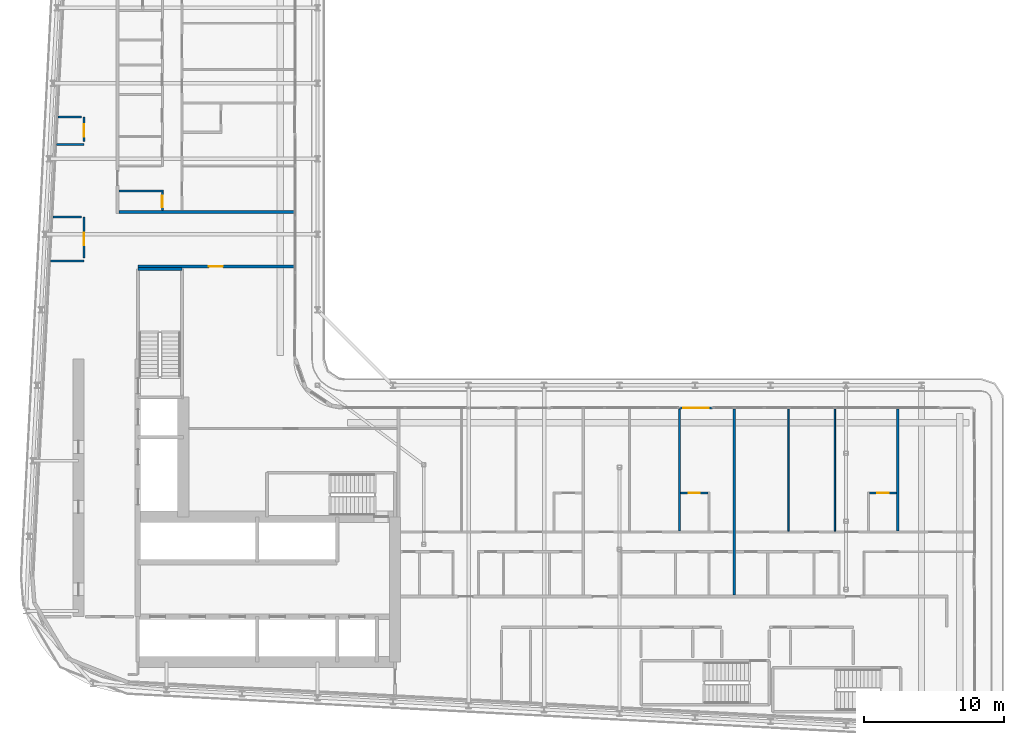
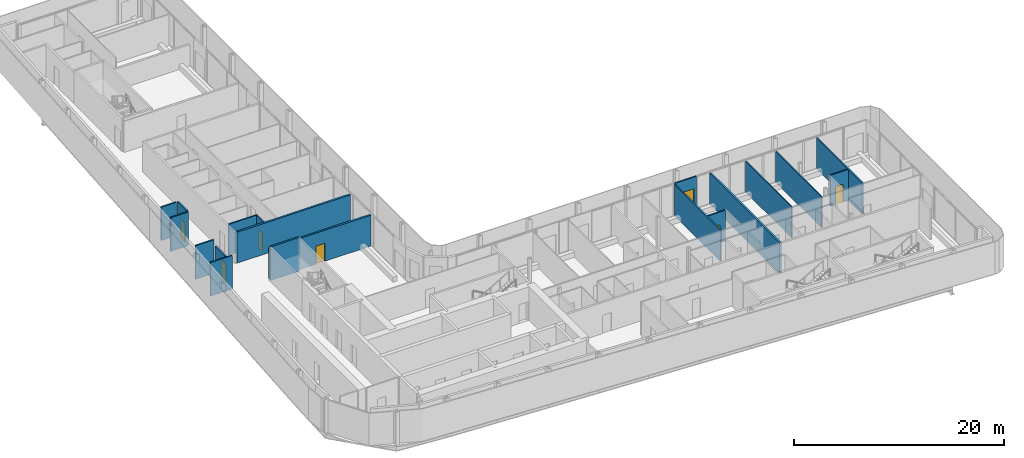
# One storey, part 19 of 30: 19 walls, 7 doors, 7 openings.
"""IFC4 building model written with IfcOpenShell, lengths in metres."""

from ifc_helpers import new_model, si_unit, direction, frame, frame_2d, origin, place, context, subcontext, project, spatial, rectangle, extrude, source, transform, mapped, material, layer, layer_set, type_object, element, fill, save


model = new_model("IFC4")

# Units and contexts
model_context = context("Model", 3, precision=1e-05, world=origin(), true_north=direction((0.0, 1.0)))
body_context = subcontext(model_context, "Body", "Model", "MODEL_VIEW")
ifc_project = project(units=[si_unit("LENGTHUNIT", "METRE"), si_unit("AREAUNIT", "SQUARE_METRE"), si_unit("VOLUMEUNIT", "CUBIC_METRE"), si_unit("PLANEANGLEUNIT", "RADIAN"), si_unit("MASSUNIT", "GRAM", prefix="KILO")], contexts=[model_context])

# Site, building, storey
site_placement = place(None, origin())
site = spatial("IfcSite", under=ifc_project, at=site_placement, CompositionType="ELEMENT")
building_placement = place(site_placement, origin())
building = spatial("IfcBuilding", under=site, at=building_placement, Name="Kheshtan School and Residences Tower", CompositionType="ELEMENT")
storey_placement = place(building_placement, frame((0.0, 0.0, 164.300048828125)))
storey = spatial("IfcBuildingStorey", under=building, at=storey_placement, Name="L38", CompositionType="ELEMENT", Elevation=164.300048828125)

# Wall
ifc_material_1 = material(Name="Gypsum board on steel studs with fire boards", Category="steel")
ifc_layer_1 = layer(ifc_material_1, 0.199951171875)
ifc_layer_set_1 = layer_set([ifc_layer_1], Name="Corridor wall 200")
wall_type_1 = type_object("IfcWallType", Name="Corridor wall 200", PredefinedType="PARTITIONING", material=ifc_layer_set_1)
wall_1_placement = place(storey_placement, frame((33.39990234375, 58.0, 0.0), z_axis=(0.0, 0.0, 1.0), x_axis=(1.0, 0.0, 0.0)))
element("IfcWall", 1, at=wall_1_placement, inside=storey, type_object=wall_type_1, Name="Partition L38-006", PredefinedType="PARTITIONING", context=body_context, shape_type="SweptSolid", body=[
    extrude(rectangle(XDim=12.5, YDim=0.199951171875, at=frame_2d((6.25, 0.0))), origin(), (0.0, 0.0, 1.0), 3.599853515625),
])

# Wall, opening, door
wall_2_placement = place(storey_placement, frame((34.75, 54.10009765625, 0.0), z_axis=(0.0, 0.0, 1.0), x_axis=(1.0, 0.0, 0.0)))
wall_2 = element("IfcWall", 2, at=wall_2_placement, inside=storey, type_object=wall_type_1, Name="Partition L38-020", PredefinedType="PARTITIONING", context=body_context, shape_type="SweptSolid", body=[
    extrude(rectangle(XDim=11.14990234375, YDim=0.199951171875, at=frame_2d((5.574951171875, 0.0))), origin(), (0.0, 0.0, 1.0), 3.599853515625),
])
opening_1_placement = place(wall_2_placement, frame((5.074951171875, 0.0, 0.0)))
opening_1 = element("IfcOpeningElement", 3, at=opening_1_placement, cuts=wall_2, Name="Opening D37-052", PredefinedType="OPENING", context=body_context, shape_type="SweptSolid", body=[
    extrude(rectangle(XDim=1.0, YDim=2.10009765625, at=frame_2d((0.5, 1.050048828125))), frame((0.0, 0.10986328125, 0.0), z_axis=(0.0, -1.0, 0.0), x_axis=(1.0, 0.0, 0.0)), (0.0, 0.0, 1.0), 0.219970703125),
])
ifc_material_2 = material(Name="Steel-framed fire-resisting door leaf", Category="steel")
door_type_1 = type_object("IfcDoorType", Name="Fire door FD60 1000 x 2100", OperationType="SINGLE_SWING_LEFT", PredefinedType="DOOR", material=ifc_material_2)
shared_shape_1 = source(origin(), body_context, "Body", "SweptSolid", [
    extrude(rectangle(XDim=1.0, YDim=2.10009765625, at=frame_2d((0.5, 1.050048828125))), frame((0.0, 0.02490234375, 0.0), z_axis=(0.0, -1.0, 0.0), x_axis=(1.0, 0.0, 0.0)), (0.0, 0.0, 1.0), 0.050048828125),
])
door_1_placement = place(opening_1_placement, origin())
door_1 = element("IfcDoor", 4, at=door_1_placement, inside=storey, type_object=door_type_1, Name="Door D37-052", OperationType="SINGLE_SWING_RIGHT", OverallHeight=2.10009765625, OverallWidth=1.0, PredefinedType="DOOR", context=body_context, shape_type="MappedRepresentation", body=[
    mapped(shared_shape_1, transform((0.0, 0.0, 0.0), x_axis=(1.0, 0.0, 0.0), y_axis=(0.0, 1.0, 0.0), z_axis=(0.0, 0.0, 1.0), scale=1.0)),
])
fill(opening_1, door_1)

ifc_material_3 = material(Name="Aluminium frame wall with insulated infill", Category="aluminium")
ifc_layer_2 = layer(ifc_material_3, 0.14990234375)
ifc_layer_set_2 = layer_set([ifc_layer_2], Name="Glazing frame wall 150")
wall_type_2 = type_object("IfcWallType", Name="Glazing frame wall 150", PredefinedType="SOLIDWALL", material=ifc_layer_set_2)
wall_3_placement = place(storey_placement, frame((73.465087890625, 43.97509765625, 0.0), z_axis=(0.0, 0.0, 1.0), x_axis=(1.0, 0.0, 0.0)))
wall_3 = element("IfcWall", 5, at=wall_3_placement, inside=storey, type_object=wall_type_2, Name="Balcony door wall L38 12.3", PredefinedType="SOLIDWALL", context=body_context, shape_type="SweptSolid", body=[
    extrude(rectangle(XDim=2.39990234375, YDim=0.14990234375, at=frame_2d((1.199951171875, 0.0))), origin(), (0.0, 0.0, 1.0), 3.75),
])
opening_2_placement = place(wall_3_placement, frame((0.300048828125, 0.0, 0.0)))
opening_2 = element("IfcOpeningElement", 6, at=opening_2_placement, cuts=wall_3, Name="Opening BD", PredefinedType="OPENING", context=body_context, shape_type="SweptSolid", body=[
    extrude(rectangle(XDim=1.800048828125, YDim=2.39990234375, at=frame_2d((0.89990234375, 1.199951171875))), frame((0.0, 0.0849609375, 0.0), z_axis=(0.0, -1.0, 0.0), x_axis=(1.0, 0.0, 0.0)), (0.0, 0.0, 1.0), 0.169921875),
])
ifc_material_4 = material(Name="Clear low-e glass in thermally broken aluminium frame", Category="aluminium")
door_type_2 = type_object("IfcDoorType", Name="Balcony sliding door", OperationType="SLIDING_TO_LEFT", PredefinedType="DOOR", material=ifc_material_4)
shared_shape_2 = source(origin(), body_context, "Body", "SweptSolid", [
    extrude(rectangle(XDim=1.800048828125, YDim=2.39990234375, at=frame_2d((0.89990234375, 1.199951171875))), frame((0.0, 0.02490234375, 0.0), z_axis=(0.0, -1.0, 0.0), x_axis=(1.0, 0.0, 0.0)), (0.0, 0.0, 1.0), 0.050048828125),
])
door_2_placement = place(opening_2_placement, origin())
door_2 = element("IfcDoor", 7, at=door_2_placement, inside=storey, type_object=door_type_2, Name="Balcony door L38 12.3", OperationType="SLIDING_TO_LEFT", OverallHeight=2.39990234375, OverallWidth=1.800048828125, PredefinedType="DOOR", context=body_context, shape_type="MappedRepresentation", body=[
    mapped(shared_shape_2, transform((0.0, 0.0, 0.0), x_axis=(1.0, 0.0, 0.0), y_axis=(0.0, 1.0, 0.0), z_axis=(0.0, 0.0, 1.0), scale=1.0)),
])
fill(opening_2, door_2)

# Walls
ifc_material_5 = material(Name="Gypsum board on steel studs", Category="steel")
ifc_layer_3 = layer(ifc_material_5, 0.10009765625)
ifc_layer_set_3 = layer_set([ifc_layer_3], Name="Gypsum partition 100")
wall_type_3 = type_object("IfcWallType", Name="Gypsum partition 100", PredefinedType="PARTITIONING", material=ifc_layer_set_3)
for number, where, z_axis, x_axis, name in (
    (8, (81.300048828125, 35.175048828125, 0.0), (0.0, 0.0, 1.0), (0.0, 1.0, 0.0), "Partition L38-066"),
    (9, (84.60009765625, 35.175048828125, 0.0), (0.0, 0.0, 1.0), (0.0, 1.0, 0.0), "Partition L38-068"),
):
    element("IfcWall", number, at=place(storey_placement, frame(where, z_axis=z_axis, x_axis=x_axis)), inside=storey, type_object=wall_type_3, Name=name, PredefinedType="PARTITIONING", context=body_context, shape_type="SweptSolid", body=[
        extrude(rectangle(XDim=8.724853515625, YDim=0.10009765625, at=frame_2d((4.3623046875, 0.0))), origin(), (0.0, 0.0, 1.0), 3.599853515625),
    ])
ifc_material_6 = material(Name="Fire-board shaft wall system")
ifc_layer_4 = layer(ifc_material_6, 0.14990234375)
ifc_layer_set_4 = layer_set([ifc_layer_4], Name="Service room wall 150")
wall_type_4 = type_object("IfcWallType", Name="Service room wall 150", PredefinedType="PARTITIONING", material=ifc_layer_set_4)
wall_4_placement = place(storey_placement, frame((28.508056640625, 54.5, 0.0), z_axis=(0.0, 0.0, 1.0), x_axis=(1.0, 0.0, 0.0)))
element("IfcWall", 10, at=wall_4_placement, inside=storey, type_object=wall_type_4, Name="Service room wall", PredefinedType="PARTITIONING", context=body_context, shape_type="SweptSolid", body=[
    extrude(rectangle(XDim=2.391845703125, YDim=0.14990234375, at=frame_2d((1.19580078125, 0.0))), origin(), (0.0, 0.0, 1.0), 3.89990234375),
])

# Wall, opening, door
wall_5_placement = place(storey_placement, frame((30.89990234375, 54.695068359375, 0.0), z_axis=(0.0, 0.0, 1.0), x_axis=(0.0, 1.0, 0.0)))
wall_5 = element("IfcWall", 11, at=wall_5_placement, inside=storey, type_object=wall_type_4, Name="Service room wall", PredefinedType="PARTITIONING", context=body_context, shape_type="SweptSolid", body=[
    extrude(rectangle(XDim=2.930908203125, YDim=0.14990234375, at=frame_2d((1.46533203125, 0.0))), origin(), (0.0, 0.0, 1.0), 3.072021484375),
])
opening_3_placement = place(wall_5_placement, frame((0.91796875, 0.0, 0.0)))
opening_3 = element("IfcOpeningElement", 12, at=opening_3_placement, cuts=wall_5, Name="Opening SR90", PredefinedType="OPENING", context=body_context, shape_type="SweptSolid", body=[
    extrude(rectangle(XDim=0.89990234375, YDim=2.199951171875, at=frame_2d((0.449951171875, 1.10009765625))), frame((0.0, 0.0849609375, 0.0), z_axis=(0.0, -1.0, 0.0), x_axis=(1.0, 0.0, 0.0)), (0.0, 0.0, 1.0), 0.169921875),
])
ifc_material_7 = material(Name="Steel door leaf, galvanised", Category="steel")
door_type_3 = type_object("IfcDoorType", Name="Service room door 900 steel 90 min", OperationType="SINGLE_SWING_LEFT", PredefinedType="DOOR", material=ifc_material_7)
shared_shape_3 = source(origin(), body_context, "Body", "SweptSolid", [
    extrude(rectangle(XDim=0.89990234375, YDim=2.199951171875, at=frame_2d((0.449951171875, 1.10009765625))), frame((0.0, 0.02490234375, 0.0), z_axis=(0.0, -1.0, 0.0), x_axis=(1.0, 0.0, 0.0)), (0.0, 0.0, 1.0), 0.050048828125),
])
door_3_placement = place(opening_3_placement, origin())
door_3 = element("IfcDoor", 13, at=door_3_placement, inside=storey, type_object=door_type_3, Name="Service room door", OperationType="SINGLE_SWING_LEFT", OverallHeight=2.199951171875, OverallWidth=0.89990234375, PredefinedType="DOOR", context=body_context, shape_type="MappedRepresentation", body=[
    mapped(shared_shape_3, transform((0.0, 0.0, 0.0), x_axis=(1.0, 0.0, 0.0), y_axis=(0.0, 1.0, 0.0), z_axis=(0.0, 0.0, 1.0), scale=1.0)),
])
fill(opening_3, door_3)

# Walls
wall_6_placement = place(storey_placement, frame((28.673095703125, 57.6259765625, 0.0), z_axis=(0.0, 0.0, 1.0), x_axis=(1.0, 0.0, 0.0)))
element("IfcWall", 14, at=wall_6_placement, inside=storey, type_object=wall_type_4, Name="Service room wall", PredefinedType="PARTITIONING", context=body_context, shape_type="SweptSolid", body=[
    extrude(rectangle(XDim=2.031982421875, YDim=0.14990234375, at=frame_2d((1.01611328125, 0.0))), origin(), (0.0, 0.0, 1.0), 3.89990234375),
])
wall_7_placement = place(storey_placement, frame((28.947021484375, 62.8330078125, 0.0), z_axis=(0.0, 0.0, 1.0), x_axis=(1.0, 0.0, 0.0)))
element("IfcWall", 15, at=wall_7_placement, inside=storey, type_object=wall_type_4, Name="Service room wall", PredefinedType="PARTITIONING", context=body_context, shape_type="SweptSolid", body=[
    extrude(rectangle(XDim=1.952880859375, YDim=0.14990234375, at=frame_2d((0.9765625, 0.0))), origin(), (0.0, 0.0, 1.0), 3.89990234375),
])

# Wall, opening, door
wall_8_placement = place(storey_placement, frame((30.89990234375, 63.028076171875, 0.0), z_axis=(0.0, 0.0, 1.0), x_axis=(0.0, 1.0, 0.0)))
wall_8 = element("IfcWall", 16, at=wall_8_placement, inside=storey, type_object=wall_type_4, Name="Service room wall", PredefinedType="PARTITIONING", context=body_context, shape_type="SweptSolid", body=[
    extrude(rectangle(XDim=1.77197265625, YDim=0.14990234375, at=frame_2d((0.885986328125, 0.0))), origin(), (0.0, 0.0, 1.0), 3.89990234375),
])
opening_4_placement = place(wall_8_placement, frame((0.337890625, 0.0, 0.0)))
opening_4 = element("IfcOpeningElement", 17, at=opening_4_placement, cuts=wall_8, Name="Opening SR90", PredefinedType="OPENING", context=body_context, shape_type="SweptSolid", body=[
    extrude(rectangle(XDim=0.89990234375, YDim=2.199951171875, at=frame_2d((0.449951171875, 1.10009765625))), frame((0.0, 0.0849609375, 0.0), z_axis=(0.0, -1.0, 0.0), x_axis=(1.0, 0.0, 0.0)), (0.0, 0.0, 1.0), 0.169921875),
])
door_4_placement = place(opening_4_placement, origin())
door_4 = element("IfcDoor", 18, at=door_4_placement, inside=storey, type_object=door_type_3, Name="Service room door", OperationType="SINGLE_SWING_LEFT", OverallHeight=2.199951171875, OverallWidth=0.89990234375, PredefinedType="DOOR", context=body_context, shape_type="MappedRepresentation", body=[
    mapped(shared_shape_3, transform((0.0, 0.0, 0.0), x_axis=(1.0, 0.0, 0.0), y_axis=(0.0, 1.0, 0.0), z_axis=(0.0, 0.0, 1.0), scale=1.0)),
])
fill(opening_4, door_4)

# Walls
wall_9_placement = place(storey_placement, frame((29.050048828125, 64.800048828125, 0.0), z_axis=(0.0, 0.0, 1.0), x_axis=(1.0, 0.0, 0.0)))
element("IfcWall", 19, at=wall_9_placement, inside=storey, type_object=wall_type_4, Name="Service room wall", PredefinedType="PARTITIONING", context=body_context, shape_type="SweptSolid", body=[
    extrude(rectangle(XDim=1.655029296875, YDim=0.14990234375, at=frame_2d((0.82763671875, 0.0))), origin(), (0.0, 0.0, 1.0), 3.89990234375),
])
ifc_material_8 = material(Name="Concrete C40/50", Category="concrete")
ifc_layer_5 = layer(ifc_material_8, 0.199951171875)
ifc_layer_set_5 = layer_set([ifc_layer_5], Name="Stair enclosure wall 200 Concrete C40/50")
wall_type_5 = type_object("IfcWallType", Name="Stair enclosure wall 200 Concrete C40/50", PredefinedType="SHEAR", material=ifc_layer_set_5)
wall_10_placement = place(storey_placement, frame((34.75, 53.909912109375, 0.0), z_axis=(0.0, 0.0, 1.0), x_axis=(1.0, 0.0, 0.0)))
element("IfcWall", 20, at=wall_10_placement, inside=storey, type_object=wall_type_5, Name="Stair enclosure wall ST2", PredefinedType="SHEAR", context=body_context, shape_type="SweptSolid", body=[
    extrude(rectangle(XDim=3.14990234375, YDim=0.199951171875, at=frame_2d((1.574951171875, 0.0))), origin(), (0.0, 0.0, 1.0), 3.89990234375),
])
ifc_material_9 = material(Name="Twin gypsum board on steel studs with mineral wool", Category="steel")
ifc_layer_6 = layer(ifc_material_9, 0.199951171875)
ifc_layer_set_6 = layer_set([ifc_layer_6], Name="Unit demising wall 200")
wall_type_6 = type_object("IfcWallType", Name="Unit demising wall 200", PredefinedType="PARTITIONING", material=ifc_layer_set_6)
wall_11_placement = place(storey_placement, frame((77.39990234375, 30.60009765625, 0.0), z_axis=(0.0, 0.0, 1.0), x_axis=(0.0, 1.0, 0.0)))
element("IfcWall", 21, at=wall_11_placement, inside=storey, type_object=wall_type_6, Name="Partition L38-062", PredefinedType="PARTITIONING", context=body_context, shape_type="SweptSolid", body=[
    extrude(rectangle(XDim=13.2998046875, YDim=0.199951171875, at=frame_2d((6.64990234375, 0.0))), origin(), (0.0, 0.0, 1.0), 3.599853515625),
])
ifc_material_10 = material(Name="Moisture-resistant gypsum board on steel studs", Category="steel")
ifc_layer_7 = layer(ifc_material_10, 0.14990234375)
ifc_layer_set_7 = layer_set([ifc_layer_7], Name="Wet-room partition 150")
wall_type_7 = type_object("IfcWallType", Name="Wet-room partition 150", PredefinedType="PARTITIONING", material=ifc_layer_set_7)
wall_12_placement = place(storey_placement, frame((33.39990234375, 59.5, 0.0), z_axis=(0.0, 0.0, 1.0), x_axis=(1.0, 0.0, 0.0)))
element("IfcWall", 22, at=wall_12_placement, inside=storey, type_object=wall_type_7, Name="Partition L38-007", PredefinedType="PARTITIONING", context=body_context, shape_type="SweptSolid", body=[
    extrude(rectangle(XDim=3.175048828125, YDim=0.14990234375, at=frame_2d((1.58740234375, 0.0))), origin(), (0.0, 0.0, 1.0), 3.599853515625),
])

# Wall, opening, door
wall_13_placement = place(storey_placement, frame((36.5, 58.10009765625, 0.0), z_axis=(0.0, 0.0, 1.0), x_axis=(0.0, 1.0, 0.0)))
wall_13 = element("IfcWall", 23, at=wall_13_placement, inside=storey, type_object=wall_type_7, Name="Partition L38-023", PredefinedType="PARTITIONING", context=body_context, shape_type="SweptSolid", body=[
    extrude(rectangle(XDim=1.324951171875, YDim=0.14990234375, at=frame_2d((0.66259765625, 0.0))), origin(), (0.0, 0.0, 1.0), 3.599853515625),
])
opening_5_placement = place(wall_13_placement, frame((0.25, 0.0, 0.0)))
opening_5 = element("IfcOpeningElement", 24, at=opening_5_placement, cuts=wall_13, Name="Opening D37-043", PredefinedType="OPENING", context=body_context, shape_type="SweptSolid", body=[
    extrude(rectangle(XDim=0.800048828125, YDim=2.10009765625, at=frame_2d((0.39990234375, 1.050048828125))), frame((0.0, 0.0849609375, 0.0), z_axis=(0.0, -1.0, 0.0), x_axis=(1.0, 0.0, 0.0)), (0.0, 0.0, 1.0), 0.169921875),
])
ifc_material_11 = material(Name="Veneered timber door leaf", Category="wood")
door_type_4 = type_object("IfcDoorType", Name="Door 800 x 2100", OperationType="SINGLE_SWING_LEFT", PredefinedType="DOOR", material=ifc_material_11)
shared_shape_4 = source(origin(), body_context, "Body", "SweptSolid", [
    extrude(rectangle(XDim=0.800048828125, YDim=2.10009765625, at=frame_2d((0.39990234375, 1.050048828125))), frame((0.0, 0.02490234375, 0.0), z_axis=(0.0, -1.0, 0.0), x_axis=(1.0, 0.0, 0.0)), (0.0, 0.0, 1.0), 0.050048828125),
])
door_5_placement = place(opening_5_placement, origin())
door_5 = element("IfcDoor", 25, at=door_5_placement, inside=storey, type_object=door_type_4, Name="Door D37-043", OperationType="SINGLE_SWING_RIGHT", OverallHeight=2.10009765625, OverallWidth=0.800048828125, PredefinedType="DOOR", context=body_context, shape_type="MappedRepresentation", body=[
    mapped(shared_shape_4, transform((0.0, 0.0, 0.0), x_axis=(1.0, 0.0, 0.0), y_axis=(0.0, 1.0, 0.0), z_axis=(0.0, 0.0, 1.0), scale=1.0)),
])
fill(opening_5, door_5)

# Wall
wall_14_placement = place(storey_placement, frame((73.5, 35.175048828125, 0.0), z_axis=(0.0, 0.0, 1.0), x_axis=(0.0, 1.0, 0.0)))
element("IfcWall", 26, at=wall_14_placement, inside=storey, type_object=wall_type_7, Name="Partition L38-058", PredefinedType="PARTITIONING", context=body_context, shape_type="SweptSolid", body=[
    extrude(rectangle(XDim=8.724853515625, YDim=0.14990234375, at=frame_2d((4.3623046875, 0.0))), origin(), (0.0, 0.0, 1.0), 3.599853515625),
])

# Wall, opening, door
wall_15_placement = place(storey_placement, frame((73.574951171875, 37.89990234375, 0.0), z_axis=(0.0, 0.0, 1.0), x_axis=(1.0, 0.0, 0.0)))
wall_15 = element("IfcWall", 27, at=wall_15_placement, inside=storey, type_object=wall_type_7, Name="Partition L38-059", PredefinedType="PARTITIONING", context=body_context, shape_type="SweptSolid", body=[
    extrude(rectangle(XDim=1.949951171875, YDim=0.14990234375, at=frame_2d((0.97509765625, 0.0))), origin(), (0.0, 0.0, 1.0), 3.599853515625),
])
opening_6_placement = place(wall_15_placement, frame((0.574951171875, 0.0, 0.0)))
opening_6 = element("IfcOpeningElement", 28, at=opening_6_placement, cuts=wall_15, Name="Opening D37-013", PredefinedType="OPENING", context=body_context, shape_type="SweptSolid", body=[
    extrude(rectangle(XDim=0.800048828125, YDim=2.10009765625, at=frame_2d((0.39990234375, 1.050048828125))), frame((0.0, 0.0849609375, 0.0), z_axis=(0.0, -1.0, 0.0), x_axis=(1.0, 0.0, 0.0)), (0.0, 0.0, 1.0), 0.169921875),
])
door_6_placement = place(opening_6_placement, origin())
door_6 = element("IfcDoor", 29, at=door_6_placement, inside=storey, type_object=door_type_4, Name="Door D37-013", OperationType="SINGLE_SWING_LEFT", OverallHeight=2.10009765625, OverallWidth=0.800048828125, PredefinedType="DOOR", context=body_context, shape_type="MappedRepresentation", body=[
    mapped(shared_shape_4, transform((0.0, 0.0, 0.0), x_axis=(1.0, 0.0, 0.0), y_axis=(0.0, 1.0, 0.0), z_axis=(0.0, 0.0, 1.0), scale=1.0)),
])
fill(opening_6, door_6)

wall_16_placement = place(storey_placement, frame((87.074951171875, 37.89990234375, 0.0), z_axis=(0.0, 0.0, 1.0), x_axis=(1.0, 0.0, 0.0)))
wall_16 = element("IfcWall", 30, at=wall_16_placement, inside=storey, type_object=wall_type_7, Name="Partition L38-073", PredefinedType="PARTITIONING", context=body_context, shape_type="SweptSolid", body=[
    extrude(rectangle(XDim=1.949951171875, YDim=0.14990234375, at=frame_2d((0.97509765625, 0.0))), origin(), (0.0, 0.0, 1.0), 3.599853515625),
])
opening_7_placement = place(wall_16_placement, frame((0.574951171875, 0.0, 0.0)))
opening_7 = element("IfcOpeningElement", 31, at=opening_7_placement, cuts=wall_16, Name="Opening D37-022", PredefinedType="OPENING", context=body_context, shape_type="SweptSolid", body=[
    extrude(rectangle(XDim=0.800048828125, YDim=2.10009765625, at=frame_2d((0.39990234375, 1.050048828125))), frame((0.0, 0.0849609375, 0.0), z_axis=(0.0, -1.0, 0.0), x_axis=(1.0, 0.0, 0.0)), (0.0, 0.0, 1.0), 0.169921875),
])
door_7_placement = place(opening_7_placement, origin())
door_7 = element("IfcDoor", 32, at=door_7_placement, inside=storey, type_object=door_type_4, Name="Door D37-022", OperationType="SINGLE_SWING_LEFT", OverallHeight=2.10009765625, OverallWidth=0.800048828125, PredefinedType="DOOR", context=body_context, shape_type="MappedRepresentation", body=[
    mapped(shared_shape_4, transform((0.0, 0.0, 0.0), x_axis=(1.0, 0.0, 0.0), y_axis=(0.0, 1.0, 0.0), z_axis=(0.0, 0.0, 1.0), scale=1.0)),
])
fill(opening_7, door_7)

# Wall
wall_17_placement = place(storey_placement, frame((89.10009765625, 35.175048828125, 0.0), z_axis=(0.0, 0.0, 1.0), x_axis=(0.0, 1.0, 0.0)))
element("IfcWall", 33, at=wall_17_placement, inside=storey, type_object=wall_type_7, Name="Partition L38-074", PredefinedType="PARTITIONING", context=body_context, shape_type="SweptSolid", body=[
    extrude(rectangle(XDim=8.724853515625, YDim=0.14990234375, at=frame_2d((4.3623046875, 0.0))), origin(), (0.0, 0.0, 1.0), 3.599853515625),
])

save(model, "model.ifc")
